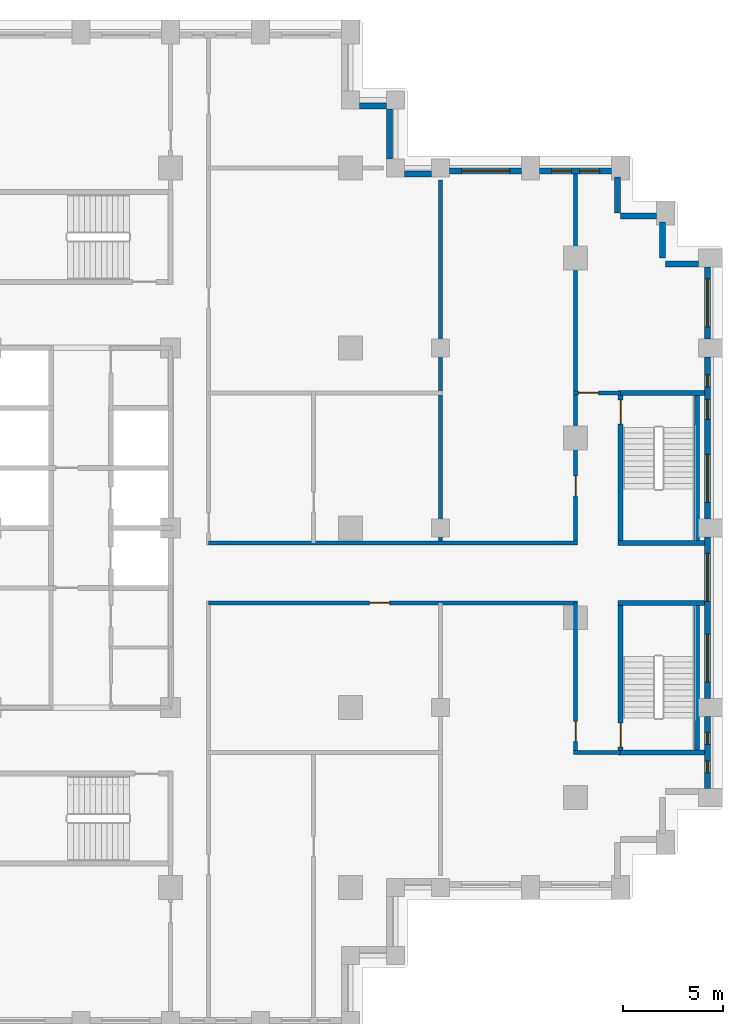
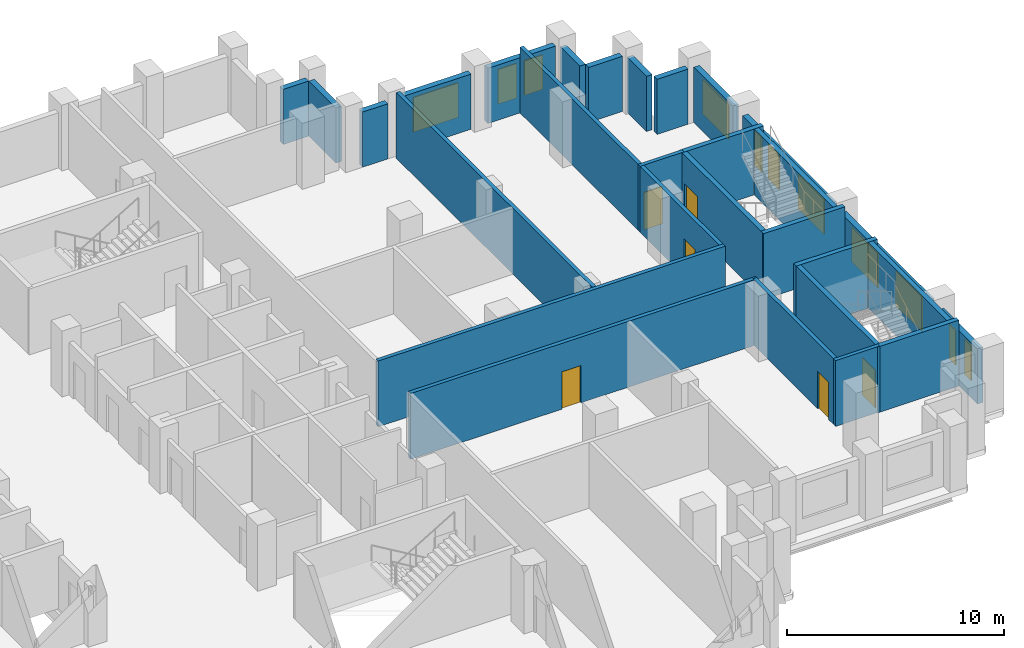
# One storey, part 12 of 16: 28 walls, 11 windows, 6 doors, 17 openings.
"""IFC4 building model written with IfcOpenShell, lengths in metres."""

from ifc_helpers import new_model, si_unit, direction, frame, frame_2d, origin, place, context, subcontext, project, spatial, rectangle, extrude, material, layer, layer_set, type_object, element, fill, save


model = new_model("IFC4")

# Units and contexts
model_context = context("Model", 3, precision=1e-05, world=origin(), true_north=direction((0.0, 1.0)))
body_context = subcontext(model_context, "Body", "Model", "MODEL_VIEW")
ifc_project = project(units=[si_unit("LENGTHUNIT", "METRE"), si_unit("AREAUNIT", "SQUARE_METRE"), si_unit("VOLUMEUNIT", "CUBIC_METRE"), si_unit("PLANEANGLEUNIT", "RADIAN"), si_unit("MASSUNIT", "GRAM", prefix="KILO")], contexts=[model_context])

# Site, building, storey
site_placement = place(None, origin())
site = spatial("IfcSite", under=ifc_project, at=site_placement, CompositionType="ELEMENT")
building_placement = place(site_placement, origin())
building = spatial("IfcBuilding", under=site, at=building_placement, Name="Corbelhall Arena Tower", CompositionType="ELEMENT")
storey_placement = place(building_placement, frame((0.0, 0.0, 76.0)))
storey = spatial("IfcBuildingStorey", under=building, at=storey_placement, Name="L11", CompositionType="ELEMENT", Elevation=76.0)

# Walls
ifc_material_1 = material(Name="Precast concrete C40/50 with granite facing", Category="masonry")
ifc_layer_1 = layer(ifc_material_1, 0.300048828125)
ifc_layer_set_1 = layer_set([ifc_layer_1], Name="EV-IW1 Infill panel 300")
wall_type_1 = type_object("IfcWallType", Name="EV-IW1 Infill panel 300", PredefinedType="SOLIDWALL", material=ifc_layer_set_1)
wall_1_placement = place(storey_placement, frame((39.89990234375, 13.199951171875, 0.0), z_axis=(0.0, 0.0, 1.0), x_axis=(-1.0, 0.0, 0.0)))
element("IfcWall", 1, at=wall_1_placement, inside=storey, type_object=wall_type_1, Name="Infill panel IW1", PredefinedType="SOLIDWALL", context=body_context, shape_type="SweptSolid", body=[
    extrude(rectangle(XDim=1.64990234375, YDim=0.300048828125, at=frame_2d((0.824951171875, 0.0))), origin(), (0.0, 0.0, 1.0), 3.10009765625),
])
for number, where, z_axis, x_axis, name in (
    (2, (38.10009765625, 15.300048828125, 0.0), (0.0, 0.0, 1.0), (0.0, -1.0, 0.0), "Infill panel IW1"),
    (3, (37.800048828125, 15.60009765625, 0.0), (0.0, 0.0, 1.0), (-1.0, 0.0, 0.0), "Infill panel IW1"),
    (4, (35.85009765625, 17.550048828125, 0.0), (0.0, 0.0, 1.0), (0.0, -1.0, 0.0), "Infill panel IW1"),
):
    element("IfcWall", number, at=place(storey_placement, frame(where, z_axis=z_axis, x_axis=x_axis)), inside=storey, type_object=wall_type_1, Name=name, PredefinedType="SOLIDWALL", context=body_context, shape_type="SweptSolid", body=[
        extrude(rectangle(XDim=1.800048828125, YDim=0.300048828125, at=frame_2d((0.89990234375, 0.0))), origin(), (0.0, 0.0, 1.0), 3.10009765625),
    ])

# Wall, openings, windows
wall_2_placement = place(storey_placement, frame((40.35009765625, -13.050048828125, 0.0), z_axis=(0.0, 0.0, 1.0), x_axis=(0.0, 1.0, 0.0)))
wall_2 = element("IfcWall", 5, at=wall_2_placement, inside=storey, type_object=wall_type_1, Name="Infill panel IW1", PredefinedType="SOLIDWALL", context=body_context, shape_type="SweptSolid", body=[
    extrude(rectangle(XDim=3.60009765625, YDim=0.300048828125, at=frame_2d((1.800048828125, 0.0))), origin(), (0.0, 0.0, 1.0), 3.10009765625),
])
opening_1_placement = place(wall_2_placement, frame((0.78759765625, 0.0, 0.800048828125)))
opening_1 = element("IfcOpeningElement", 6, at=opening_1_placement, cuts=wall_2, Name="Opening WN5", PredefinedType="OPENING", context=body_context, shape_type="SweptSolid", body=[
    extrude(rectangle(XDim=0.60009765625, YDim=1.949951171875, at=frame_2d((0.300048828125, 0.97509765625))), frame((0.0, 0.14990234375, 0.0), z_axis=(0.0, -1.0, 0.0), x_axis=(1.0, 0.0, 0.0)), (0.0, 0.0, 1.0), 0.300048828125),
])
opening_2_placement = place(wall_2_placement, frame((2.21240234375, 0.0, 0.800048828125)))
opening_2 = element("IfcOpeningElement", 7, at=opening_2_placement, cuts=wall_2, Name="Opening WN5", PredefinedType="OPENING", context=body_context, shape_type="SweptSolid", body=[
    extrude(rectangle(XDim=0.60009765625, YDim=1.949951171875, at=frame_2d((0.300048828125, 0.97509765625))), frame((0.0, 0.14990234375, 0.0), z_axis=(0.0, -1.0, 0.0), x_axis=(1.0, 0.0, 0.0)), (0.0, 0.0, 1.0), 0.300048828125),
])
ifc_material_2 = material(Name="Aluminium black anodised", Category="aluminium")
window_type_1 = type_object("IfcWindowType", Name="EV-WN5 Office window 600", PartitioningType="SINGLE_PANEL", PredefinedType="WINDOW", material=ifc_material_2)
window_1_placement = place(opening_1_placement, origin())
window_1 = element("IfcWindow", 8, at=window_1_placement, inside=storey, type_object=window_type_1, Name="Window WN5", OverallHeight=1.949951171875, OverallWidth=0.60009765625, PartitioningType="SINGLE_PANEL", PredefinedType="WINDOW", context=body_context, shape_type="SweptSolid", body=[
    extrude(rectangle(XDim=0.60009765625, YDim=1.949951171875, at=frame_2d((0.300048828125, 0.97509765625))), frame((0.0, 0.030029296875, 0.0), z_axis=(0.0, -1.0, 0.0), x_axis=(1.0, 0.0, 0.0)), (0.0, 0.0, 1.0), 0.06005859375),
])
fill(opening_1, window_1)
window_2_placement = place(opening_2_placement, origin())
window_2 = element("IfcWindow", 9, at=window_2_placement, inside=storey, type_object=window_type_1, Name="Window WN5", OverallHeight=1.949951171875, OverallWidth=0.60009765625, PartitioningType="SINGLE_PANEL", PredefinedType="WINDOW", context=body_context, shape_type="SweptSolid", body=[
    extrude(rectangle(XDim=0.60009765625, YDim=1.949951171875, at=frame_2d((0.300048828125, 0.97509765625))), frame((0.0, 0.030029296875, 0.0), z_axis=(0.0, -1.0, 0.0), x_axis=(1.0, 0.0, 0.0)), (0.0, 0.0, 1.0), 0.06005859375),
])
fill(opening_2, window_2)

wall_3_placement = place(storey_placement, frame((40.35009765625, -8.550048828125, 0.0), z_axis=(0.0, 0.0, 1.0), x_axis=(0.0, 1.0, 0.0)))
wall_3 = element("IfcWall", 10, at=wall_3_placement, inside=storey, type_object=wall_type_1, Name="Infill panel IW1", PredefinedType="SOLIDWALL", context=body_context, shape_type="SweptSolid", body=[
    extrude(rectangle(XDim=8.10009765625, YDim=0.300048828125, at=frame_2d((4.050048828125, 0.0))), origin(), (0.0, 0.0, 1.0), 3.10009765625),
])
opening_3_placement = place(wall_3_placement, frame((0.824951171875, 0.0, 0.800048828125)))
opening_3 = element("IfcOpeningElement", 11, at=opening_3_placement, cuts=wall_3, Name="Opening WN1", PredefinedType="OPENING", context=body_context, shape_type="SweptSolid", body=[
    extrude(rectangle(XDim=2.39990234375, YDim=1.949951171875, at=frame_2d((1.199951171875, 0.97509765625))), frame((0.0, 0.14990234375, 0.0), z_axis=(0.0, -1.0, 0.0), x_axis=(1.0, 0.0, 0.0)), (0.0, 0.0, 1.0), 0.300048828125),
])
opening_4_placement = place(wall_3_placement, frame((4.875, 0.0, 0.800048828125)))
opening_4 = element("IfcOpeningElement", 12, at=opening_4_placement, cuts=wall_3, Name="Opening WN1", PredefinedType="OPENING", context=body_context, shape_type="SweptSolid", body=[
    extrude(rectangle(XDim=2.39990234375, YDim=1.949951171875, at=frame_2d((1.199951171875, 0.97509765625))), frame((0.0, 0.14990234375, 0.0), z_axis=(0.0, -1.0, 0.0), x_axis=(1.0, 0.0, 0.0)), (0.0, 0.0, 1.0), 0.300048828125),
])
window_type_2 = type_object("IfcWindowType", Name="EV-WN1 Office window", PartitioningType="SINGLE_PANEL", PredefinedType="WINDOW", material=ifc_material_2)
window_3_placement = place(opening_3_placement, origin())
window_3 = element("IfcWindow", 13, at=window_3_placement, inside=storey, type_object=window_type_2, Name="Window WN1", OverallHeight=1.949951171875, OverallWidth=2.39990234375, PartitioningType="SINGLE_PANEL", PredefinedType="WINDOW", context=body_context, shape_type="SweptSolid", body=[
    extrude(rectangle(XDim=2.39990234375, YDim=1.949951171875, at=frame_2d((1.199951171875, 0.97509765625))), frame((0.0, 0.030029296875, 0.0), z_axis=(0.0, -1.0, 0.0), x_axis=(1.0, 0.0, 0.0)), (0.0, 0.0, 1.0), 0.06005859375),
])
fill(opening_3, window_3)
window_4_placement = place(opening_4_placement, origin())
window_4 = element("IfcWindow", 14, at=window_4_placement, inside=storey, type_object=window_type_2, Name="Window WN1", OverallHeight=1.949951171875, OverallWidth=2.39990234375, PartitioningType="SINGLE_PANEL", PredefinedType="WINDOW", context=body_context, shape_type="SweptSolid", body=[
    extrude(rectangle(XDim=2.39990234375, YDim=1.949951171875, at=frame_2d((1.199951171875, 0.97509765625))), frame((0.0, 0.030029296875, 0.0), z_axis=(0.0, -1.0, 0.0), x_axis=(1.0, 0.0, 0.0)), (0.0, 0.0, 1.0), 0.06005859375),
])
fill(opening_4, window_4)

wall_4_placement = place(storey_placement, frame((40.35009765625, 0.449951171875, 0.0), z_axis=(0.0, 0.0, 1.0), x_axis=(0.0, 1.0, 0.0)))
wall_4 = element("IfcWall", 15, at=wall_4_placement, inside=storey, type_object=wall_type_1, Name="Infill panel IW1", PredefinedType="SOLIDWALL", context=body_context, shape_type="SweptSolid", body=[
    extrude(rectangle(XDim=8.10009765625, YDim=0.300048828125, at=frame_2d((4.050048828125, 0.0))), origin(), (0.0, 0.0, 1.0), 3.10009765625),
])
opening_5_placement = place(wall_4_placement, frame((0.824951171875, 0.0, 0.800048828125)))
opening_5 = element("IfcOpeningElement", 16, at=opening_5_placement, cuts=wall_4, Name="Opening WN1", PredefinedType="OPENING", context=body_context, shape_type="SweptSolid", body=[
    extrude(rectangle(XDim=2.39990234375, YDim=1.949951171875, at=frame_2d((1.199951171875, 0.97509765625))), frame((0.0, 0.14990234375, 0.0), z_axis=(0.0, -1.0, 0.0), x_axis=(1.0, 0.0, 0.0)), (0.0, 0.0, 1.0), 0.300048828125),
])
opening_6_placement = place(wall_4_placement, frame((4.97509765625, 0.0, 0.800048828125)))
opening_6 = element("IfcOpeningElement", 17, at=opening_6_placement, cuts=wall_4, Name="Opening WN6", PredefinedType="OPENING", context=body_context, shape_type="SweptSolid", body=[
    extrude(rectangle(XDim=1.0, YDim=1.949951171875, at=frame_2d((0.5, 0.97509765625))), frame((0.0, 0.14990234375, 0.0), z_axis=(0.0, -1.0, 0.0), x_axis=(1.0, 0.0, 0.0)), (0.0, 0.0, 1.0), 0.300048828125),
])
opening_7_placement = place(wall_4_placement, frame((6.60009765625, 0.0, 0.800048828125)))
opening_7 = element("IfcOpeningElement", 18, at=opening_7_placement, cuts=wall_4, Name="Opening WN5", PredefinedType="OPENING", context=body_context, shape_type="SweptSolid", body=[
    extrude(rectangle(XDim=0.60009765625, YDim=1.949951171875, at=frame_2d((0.300048828125, 0.97509765625))), frame((0.0, 0.14990234375, 0.0), z_axis=(0.0, -1.0, 0.0), x_axis=(1.0, 0.0, 0.0)), (0.0, 0.0, 1.0), 0.300048828125),
])
window_5_placement = place(opening_5_placement, origin())
window_5 = element("IfcWindow", 19, at=window_5_placement, inside=storey, type_object=window_type_2, Name="Window WN1", OverallHeight=1.949951171875, OverallWidth=2.39990234375, PartitioningType="SINGLE_PANEL", PredefinedType="WINDOW", context=body_context, shape_type="SweptSolid", body=[
    extrude(rectangle(XDim=2.39990234375, YDim=1.949951171875, at=frame_2d((1.199951171875, 0.97509765625))), frame((0.0, 0.030029296875, 0.0), z_axis=(0.0, -1.0, 0.0), x_axis=(1.0, 0.0, 0.0)), (0.0, 0.0, 1.0), 0.06005859375),
])
fill(opening_5, window_5)
window_6_placement = place(opening_7_placement, origin())
window_6 = element("IfcWindow", 20, at=window_6_placement, inside=storey, type_object=window_type_1, Name="Window WN5", OverallHeight=1.949951171875, OverallWidth=0.60009765625, PartitioningType="SINGLE_PANEL", PredefinedType="WINDOW", context=body_context, shape_type="SweptSolid", body=[
    extrude(rectangle(XDim=0.60009765625, YDim=1.949951171875, at=frame_2d((0.300048828125, 0.97509765625))), frame((0.0, 0.030029296875, 0.0), z_axis=(0.0, -1.0, 0.0), x_axis=(1.0, 0.0, 0.0)), (0.0, 0.0, 1.0), 0.06005859375),
])
fill(opening_7, window_6)
window_type_3 = type_object("IfcWindowType", Name="EV-WN6 Office window 1000", PartitioningType="SINGLE_PANEL", PredefinedType="WINDOW", material=ifc_material_2)
window_7_placement = place(opening_6_placement, origin())
window_7 = element("IfcWindow", 21, at=window_7_placement, inside=storey, type_object=window_type_3, Name="Window WN6", OverallHeight=1.949951171875, OverallWidth=1.0, PartitioningType="SINGLE_PANEL", PredefinedType="WINDOW", context=body_context, shape_type="SweptSolid", body=[
    extrude(rectangle(XDim=1.0, YDim=1.949951171875, at=frame_2d((0.5, 0.97509765625))), frame((0.0, 0.030029296875, 0.0), z_axis=(0.0, -1.0, 0.0), x_axis=(1.0, 0.0, 0.0)), (0.0, 0.0, 1.0), 0.06005859375),
])
fill(opening_6, window_7)

# Wall, opening, window
wall_5_placement = place(storey_placement, frame((40.35009765625, 9.449951171875, 0.0), z_axis=(0.0, 0.0, 1.0), x_axis=(0.0, 1.0, 0.0)))
wall_5 = element("IfcWall", 22, at=wall_5_placement, inside=storey, type_object=wall_type_1, Name="Infill panel IW1", PredefinedType="SOLIDWALL", context=body_context, shape_type="SweptSolid", body=[
    extrude(rectangle(XDim=3.60009765625, YDim=0.300048828125, at=frame_2d((1.800048828125, 0.0))), origin(), (0.0, 0.0, 1.0), 3.10009765625),
])
opening_8_placement = place(wall_5_placement, frame((0.60009765625, 0.0, 0.800048828125)))
opening_8 = element("IfcOpeningElement", 23, at=opening_8_placement, cuts=wall_5, Name="Opening WN1", PredefinedType="OPENING", context=body_context, shape_type="SweptSolid", body=[
    extrude(rectangle(XDim=2.39990234375, YDim=1.949951171875, at=frame_2d((1.199951171875, 0.97509765625))), frame((0.0, 0.14990234375, 0.0), z_axis=(0.0, -1.0, 0.0), x_axis=(1.0, 0.0, 0.0)), (0.0, 0.0, 1.0), 0.300048828125),
])
window_8_placement = place(opening_8_placement, origin())
window_8 = element("IfcWindow", 24, at=window_8_placement, inside=storey, type_object=window_type_2, Name="Window WN1", OverallHeight=1.949951171875, OverallWidth=2.39990234375, PartitioningType="SINGLE_PANEL", PredefinedType="WINDOW", context=body_context, shape_type="SweptSolid", body=[
    extrude(rectangle(XDim=2.39990234375, YDim=1.949951171875, at=frame_2d((1.199951171875, 0.97509765625))), frame((0.0, 0.030029296875, 0.0), z_axis=(0.0, -1.0, 0.0), x_axis=(1.0, 0.0, 0.0)), (0.0, 0.0, 1.0), 0.06005859375),
])
fill(opening_8, window_8)

# Wall, openings, windows
wall_6_placement = place(storey_placement, frame((35.550048828125, 17.85009765625, 0.0), z_axis=(0.0, 0.0, 1.0), x_axis=(-1.0, 0.0, 0.0)))
wall_6 = element("IfcWall", 25, at=wall_6_placement, inside=storey, type_object=wall_type_1, Name="Infill panel IW1", PredefinedType="SOLIDWALL", context=body_context, shape_type="SweptSolid", body=[
    extrude(rectangle(XDim=3.60009765625, YDim=0.300048828125, at=frame_2d((1.800048828125, 0.0))), origin(), (0.0, 0.0, 1.0), 3.10009765625),
])
opening_9_placement = place(wall_6_placement, frame((0.60009765625, 0.0, 0.800048828125)))
opening_9 = element("IfcOpeningElement", 26, at=opening_9_placement, cuts=wall_6, Name="Opening WN6", PredefinedType="OPENING", context=body_context, shape_type="SweptSolid", body=[
    extrude(rectangle(XDim=1.0, YDim=1.949951171875, at=frame_2d((0.5, 0.97509765625))), frame((0.0, 0.14990234375, 0.0), z_axis=(0.0, -1.0, 0.0), x_axis=(1.0, 0.0, 0.0)), (0.0, 0.0, 1.0), 0.300048828125),
])
opening_10_placement = place(wall_6_placement, frame((2.0, 0.0, 0.800048828125)))
opening_10 = element("IfcOpeningElement", 27, at=opening_10_placement, cuts=wall_6, Name="Opening WN6", PredefinedType="OPENING", context=body_context, shape_type="SweptSolid", body=[
    extrude(rectangle(XDim=1.0, YDim=1.949951171875, at=frame_2d((0.5, 0.97509765625))), frame((0.0, 0.14990234375, 0.0), z_axis=(0.0, -1.0, 0.0), x_axis=(1.0, 0.0, 0.0)), (0.0, 0.0, 1.0), 0.300048828125),
])
window_9_placement = place(opening_9_placement, origin())
window_9 = element("IfcWindow", 28, at=window_9_placement, inside=storey, type_object=window_type_3, Name="Window WN6", OverallHeight=1.949951171875, OverallWidth=1.0, PartitioningType="SINGLE_PANEL", PredefinedType="WINDOW", context=body_context, shape_type="SweptSolid", body=[
    extrude(rectangle(XDim=1.0, YDim=1.949951171875, at=frame_2d((0.5, 0.97509765625))), frame((0.0, 0.030029296875, 0.0), z_axis=(0.0, -1.0, 0.0), x_axis=(1.0, 0.0, 0.0)), (0.0, 0.0, 1.0), 0.06005859375),
])
fill(opening_9, window_9)
window_10_placement = place(opening_10_placement, origin())
window_10 = element("IfcWindow", 29, at=window_10_placement, inside=storey, type_object=window_type_3, Name="Window WN6", OverallHeight=1.949951171875, OverallWidth=1.0, PartitioningType="SINGLE_PANEL", PredefinedType="WINDOW", context=body_context, shape_type="SweptSolid", body=[
    extrude(rectangle(XDim=1.0, YDim=1.949951171875, at=frame_2d((0.5, 0.97509765625))), frame((0.0, 0.030029296875, 0.0), z_axis=(0.0, -1.0, 0.0), x_axis=(1.0, 0.0, 0.0)), (0.0, 0.0, 1.0), 0.06005859375),
])
fill(opening_10, window_10)

# Wall, opening, window
wall_7_placement = place(storey_placement, frame((31.050048828125, 17.85009765625, 0.0), z_axis=(0.0, 0.0, 1.0), x_axis=(-1.0, 0.0, 0.0)))
wall_7 = element("IfcWall", 30, at=wall_7_placement, inside=storey, type_object=wall_type_1, Name="Infill panel IW1", PredefinedType="SOLIDWALL", context=body_context, shape_type="SweptSolid", body=[
    extrude(rectangle(XDim=3.60009765625, YDim=0.300048828125, at=frame_2d((1.800048828125, 0.0))), origin(), (0.0, 0.0, 1.0), 3.10009765625),
])
opening_11_placement = place(wall_7_placement, frame((0.60009765625, 0.0, 0.800048828125)))
opening_11 = element("IfcOpeningElement", 31, at=opening_11_placement, cuts=wall_7, Name="Opening WN1", PredefinedType="OPENING", context=body_context, shape_type="SweptSolid", body=[
    extrude(rectangle(XDim=2.39990234375, YDim=1.949951171875, at=frame_2d((1.199951171875, 0.97509765625))), frame((0.0, 0.14990234375, 0.0), z_axis=(0.0, -1.0, 0.0), x_axis=(1.0, 0.0, 0.0)), (0.0, 0.0, 1.0), 0.300048828125),
])
window_11_placement = place(opening_11_placement, origin())
window_11 = element("IfcWindow", 32, at=window_11_placement, inside=storey, type_object=window_type_2, Name="Window WN1", OverallHeight=1.949951171875, OverallWidth=2.39990234375, PartitioningType="SINGLE_PANEL", PredefinedType="WINDOW", context=body_context, shape_type="SweptSolid", body=[
    extrude(rectangle(XDim=2.39990234375, YDim=1.949951171875, at=frame_2d((1.199951171875, 0.97509765625))), frame((0.0, 0.030029296875, 0.0), z_axis=(0.0, -1.0, 0.0), x_axis=(1.0, 0.0, 0.0)), (0.0, 0.0, 1.0), 0.06005859375),
])
fill(opening_11, window_11)

# Walls
wall_8_placement = place(storey_placement, frame((26.550048828125, 17.699951171875, 0.0), z_axis=(0.0, 0.0, 1.0), x_axis=(-1.0, 0.0, 0.0)))
element("IfcWall", 33, at=wall_8_placement, inside=storey, type_object=wall_type_1, Name="Infill panel IW1", PredefinedType="SOLIDWALL", context=body_context, shape_type="SweptSolid", body=[
    extrude(rectangle(XDim=1.35009765625, YDim=0.300048828125, at=frame_2d((0.675048828125, 0.0))), origin(), (0.0, 0.0, 1.0), 3.10009765625),
])
wall_9_placement = place(storey_placement, frame((24.449951171875, 18.449951171875, 0.0), z_axis=(0.0, 0.0, 1.0), x_axis=(0.0, 1.0, 0.0)))
element("IfcWall", 34, at=wall_9_placement, inside=storey, type_object=wall_type_1, Name="Infill panel IW1", PredefinedType="SOLIDWALL", context=body_context, shape_type="SweptSolid", body=[
    extrude(rectangle(XDim=2.5, YDim=0.300048828125, at=frame_2d((1.25, 0.0))), origin(), (0.0, 0.0, 1.0), 3.10009765625),
])
wall_10_placement = place(storey_placement, frame((24.300048828125, 21.10009765625, 0.0), z_axis=(0.0, 0.0, 1.0), x_axis=(-1.0, 0.0, 0.0)))
element("IfcWall", 35, at=wall_10_placement, inside=storey, type_object=wall_type_1, Name="Infill panel IW1", PredefinedType="SOLIDWALL", context=body_context, shape_type="SweptSolid", body=[
    extrude(rectangle(XDim=1.35009765625, YDim=0.300048828125, at=frame_2d((0.675048828125, 0.0))), origin(), (0.0, 0.0, 1.0), 3.10009765625),
])
ifc_material_3 = material(Name="Gypsum board on steel stud, acoustic", Category="steel")
ifc_layer_2 = layer(ifc_material_3, 0.199951171875)
ifc_layer_set_2 = layer_set([ifc_layer_2], Name="IN-W-DM200")
wall_type_2 = type_object("IfcWallType", Name="IN-W-DM200", PredefinedType="PARTITIONING", material=ifc_layer_set_2)
wall_11_placement = place(storey_placement, frame((15.39990234375, -0.75, 0.0), z_axis=(0.0, 0.0, 1.0), x_axis=(1.0, 0.0, 0.0)))
element("IfcWall", 36, at=wall_11_placement, inside=storey, type_object=wall_type_2, Name="Partition 031", PredefinedType="PARTITIONING", context=body_context, shape_type="SweptSolid", body=[
    extrude(rectangle(XDim=18.4501953125, YDim=0.199951171875, at=frame_2d((9.22509765625, 0.0))), origin(), (0.0, 0.0, 1.0), 3.699951171875),
])
wall_12_placement = place(storey_placement, frame((27.0, 17.39990234375, 0.0), z_axis=(0.0, 0.0, 1.0), x_axis=(0.0, -1.0, 0.0)))
element("IfcWall", 37, at=wall_12_placement, inside=storey, type_object=wall_type_2, Name="Partition 038", PredefinedType="PARTITIONING", context=body_context, shape_type="SweptSolid", body=[
    extrude(rectangle(XDim=18.14990234375, YDim=0.199951171875, at=frame_2d((9.074951171875, 0.0))), origin(), (0.0, 0.0, 1.0), 3.699951171875),
])

# Wall, opening, door
wall_13_placement = place(storey_placement, frame((33.85009765625, -3.75, 0.0), z_axis=(0.0, 0.0, 1.0), x_axis=(-1.0, 0.0, 0.0)))
wall_13 = element("IfcWall", 38, at=wall_13_placement, inside=storey, type_object=wall_type_2, Name="Partition 039", PredefinedType="PARTITIONING", context=body_context, shape_type="SweptSolid", body=[
    extrude(rectangle(XDim=18.4501953125, YDim=0.199951171875, at=frame_2d((9.22509765625, 0.0))), origin(), (0.0, 0.0, 1.0), 3.699951171875),
])
opening_12_placement = place(wall_13_placement, frame((9.39990234375, 0.0, 0.0)))
opening_12 = element("IfcOpeningElement", 39, at=opening_12_placement, cuts=wall_13, Name="Opening 01039", PredefinedType="OPENING", context=body_context, shape_type="SweptSolid", body=[
    extrude(rectangle(XDim=1.0, YDim=2.10009765625, at=frame_2d((0.5, 1.050048828125))), frame((0.0, 0.10009765625, 0.0), z_axis=(0.0, -1.0, 0.0), x_axis=(1.0, 0.0, 0.0)), (0.0, 0.0, 1.0), 0.199951171875),
])
ifc_material_4 = material(Name="Steel door set", Category="steel")
door_type_1 = type_object("IfcDoorType", Name="IN-D-SW100", OperationType="NOTDEFINED", PredefinedType="DOOR", material=ifc_material_4)
door_1_placement = place(opening_12_placement, origin())
door_1 = element("IfcDoor", 40, at=door_1_placement, inside=storey, type_object=door_type_1, Name="Door 039", OperationType="SINGLE_SWING_RIGHT", OverallHeight=2.10009765625, OverallWidth=1.0, PredefinedType="DOOR", context=body_context, shape_type="SweptSolid", body=[
    extrude(rectangle(XDim=1.0, YDim=2.10009765625, at=frame_2d((0.5, 1.050048828125))), frame((0.0, 0.02490234375, 0.0), z_axis=(0.0, -1.0, 0.0), x_axis=(1.0, 0.0, 0.0)), (0.0, 0.0, 1.0), 0.050048828125),
])
fill(opening_12, door_1)

wall_14_placement = place(storey_placement, frame((33.64990234375, 6.75, 0.0), z_axis=(0.0, 0.0, 1.0), x_axis=(1.0, 0.0, 0.0)))
wall_14 = element("IfcWall", 41, at=wall_14_placement, inside=storey, type_object=wall_type_2, Name="Partition 040", PredefinedType="PARTITIONING", context=body_context, shape_type="SweptSolid", body=[
    extrude(rectangle(XDim=2.35009765625, YDim=0.199951171875, at=frame_2d((1.175048828125, 0.0))), origin(), (0.0, 0.0, 1.0), 3.699951171875),
])
opening_13_placement = place(wall_14_placement, frame((0.25, 0.0, 0.0)))
opening_13 = element("IfcOpeningElement", 42, at=opening_13_placement, cuts=wall_14, Name="Opening 01045", PredefinedType="OPENING", context=body_context, shape_type="SweptSolid", body=[
    extrude(rectangle(XDim=1.0, YDim=2.10009765625, at=frame_2d((0.5, 1.050048828125))), frame((0.0, 0.10009765625, 0.0), z_axis=(0.0, -1.0, 0.0), x_axis=(1.0, 0.0, 0.0)), (0.0, 0.0, 1.0), 0.199951171875),
])
door_2_placement = place(opening_13_placement, origin())
door_2 = element("IfcDoor", 43, at=door_2_placement, inside=storey, type_object=door_type_1, Name="Door 045", OperationType="SINGLE_SWING_RIGHT", OverallHeight=2.10009765625, OverallWidth=1.0, PredefinedType="DOOR", context=body_context, shape_type="SweptSolid", body=[
    extrude(rectangle(XDim=1.0, YDim=2.10009765625, at=frame_2d((0.5, 1.050048828125))), frame((0.0, 0.02490234375, 0.0), z_axis=(0.0, -1.0, 0.0), x_axis=(1.0, 0.0, 0.0)), (0.0, 0.0, 1.0), 0.050048828125),
])
fill(opening_13, door_2)

wall_15_placement = place(storey_placement, frame((33.75, -11.25, 0.0), z_axis=(0.0, 0.0, 1.0), x_axis=(0.0, 1.0, 0.0)))
wall_15 = element("IfcWall", 44, at=wall_15_placement, inside=storey, type_object=wall_type_2, Name="Partition 041", PredefinedType="PARTITIONING", context=body_context, shape_type="SweptSolid", body=[
    extrude(rectangle(XDim=7.5, YDim=0.199951171875, at=frame_2d((3.75, 0.0))), origin(), (0.0, 0.0, 1.0), 3.699951171875),
])
opening_14_placement = place(wall_15_placement, frame((0.550048828125, 0.0, 0.0)))
opening_14 = element("IfcOpeningElement", 45, at=opening_14_placement, cuts=wall_15, Name="Opening 01046", PredefinedType="OPENING", context=body_context, shape_type="SweptSolid", body=[
    extrude(rectangle(XDim=1.0, YDim=2.10009765625, at=frame_2d((0.5, 1.050048828125))), frame((0.0, 0.10009765625, 0.0), z_axis=(0.0, -1.0, 0.0), x_axis=(1.0, 0.0, 0.0)), (0.0, 0.0, 1.0), 0.199951171875),
])
door_3_placement = place(opening_14_placement, origin())
door_3 = element("IfcDoor", 46, at=door_3_placement, inside=storey, type_object=door_type_1, Name="Door 046", OperationType="SINGLE_SWING_LEFT", OverallHeight=2.10009765625, OverallWidth=1.0, PredefinedType="DOOR", context=body_context, shape_type="SweptSolid", body=[
    extrude(rectangle(XDim=1.0, YDim=2.10009765625, at=frame_2d((0.5, 1.050048828125))), frame((0.0, 0.02490234375, 0.0), z_axis=(0.0, -1.0, 0.0), x_axis=(1.0, 0.0, 0.0)), (0.0, 0.0, 1.0), 0.050048828125),
])
fill(opening_14, door_3)

wall_16_placement = place(storey_placement, frame((33.75, -0.75, 0.0), z_axis=(0.0, 0.0, 1.0), x_axis=(0.0, 1.0, 0.0)))
wall_16 = element("IfcWall", 47, at=wall_16_placement, inside=storey, type_object=wall_type_2, Name="Partition 042", PredefinedType="PARTITIONING", context=body_context, shape_type="SweptSolid", body=[
    extrude(rectangle(XDim=18.449951171875, YDim=0.199951171875, at=frame_2d((9.22509765625, 0.0))), origin(), (0.0, 0.0, 1.0), 3.699951171875),
])
opening_15_placement = place(wall_16_placement, frame((2.35009765625, 0.0, 0.0)))
opening_15 = element("IfcOpeningElement", 48, at=opening_15_placement, cuts=wall_16, Name="Opening 01044", PredefinedType="OPENING", context=body_context, shape_type="SweptSolid", body=[
    extrude(rectangle(XDim=1.0, YDim=2.10009765625, at=frame_2d((0.5, 1.050048828125))), frame((0.0, 0.10009765625, 0.0), z_axis=(0.0, -1.0, 0.0), x_axis=(1.0, 0.0, 0.0)), (0.0, 0.0, 1.0), 0.199951171875),
])
door_4_placement = place(opening_15_placement, origin())
door_4 = element("IfcDoor", 49, at=door_4_placement, inside=storey, type_object=door_type_1, Name="Door 044", OperationType="SINGLE_SWING_LEFT", OverallHeight=2.10009765625, OverallWidth=1.0, PredefinedType="DOOR", context=body_context, shape_type="SweptSolid", body=[
    extrude(rectangle(XDim=1.0, YDim=2.10009765625, at=frame_2d((0.5, 1.050048828125))), frame((0.0, 0.02490234375, 0.0), z_axis=(0.0, -1.0, 0.0), x_axis=(1.0, 0.0, 0.0)), (0.0, 0.0, 1.0), 0.050048828125),
])
fill(opening_15, door_4)

# Walls
wall_17_placement = place(storey_placement, frame((36.0, -11.25, 0.0), z_axis=(0.0, 0.0, 1.0), x_axis=(-1.0, 0.0, 0.0)))
element("IfcWall", 50, at=wall_17_placement, inside=storey, type_object=wall_type_2, Name="Partition 043", PredefinedType="PARTITIONING", context=body_context, shape_type="SweptSolid", body=[
    extrude(rectangle(XDim=2.35009765625, YDim=0.199951171875, at=frame_2d((1.175048828125, 0.0))), origin(), (0.0, 0.0, 1.0), 3.699951171875),
])
ifc_material_5 = material(Name="Concrete C40/50", Category="concrete")
ifc_layer_3 = layer(ifc_material_5, 0.25)
ifc_layer_set_3 = layer_set([ifc_layer_3], Name="IN-W-ST250")
wall_type_3 = type_object("IfcWallType", Name="IN-W-ST250", PredefinedType="SOLIDWALL", material=ifc_layer_set_3)
wall_18_placement = place(storey_placement, frame((35.875, -0.75, 0.0), z_axis=(0.0, 0.0, 1.0), x_axis=(1.0, 0.0, 0.0)))
element("IfcWall", 51, at=wall_18_placement, inside=storey, type_object=wall_type_3, Name="Shaft wall 105", PredefinedType="SOLIDWALL", context=body_context, shape_type="SweptSolid", body=[
    extrude(rectangle(XDim=4.324951171875, YDim=0.25, at=frame_2d((2.16259765625, 0.0))), origin(), (0.0, 0.0, 1.0), 3.699951171875),
])

# Wall, opening, door
wall_19_placement = place(storey_placement, frame((36.0, -11.375, 0.0), z_axis=(0.0, 0.0, 1.0), x_axis=(0.0, 1.0, 0.0)))
wall_19 = element("IfcWall", 52, at=wall_19_placement, inside=storey, type_object=wall_type_3, Name="Shaft wall 106", PredefinedType="SOLIDWALL", context=body_context, shape_type="SweptSolid", body=[
    extrude(rectangle(XDim=7.625, YDim=0.25, at=frame_2d((3.8125, 0.0))), origin(), (0.0, 0.0, 1.0), 3.699951171875),
])
opening_16_placement = place(wall_19_placement, frame((0.39990234375, 0.0, 0.0)))
opening_16 = element("IfcOpeningElement", 53, at=opening_16_placement, cuts=wall_19, Name="Opening 01021", PredefinedType="OPENING", context=body_context, shape_type="SweptSolid", body=[
    extrude(rectangle(XDim=1.199951171875, YDim=2.10009765625, at=frame_2d((0.60009765625, 1.050048828125))), frame((0.0, 0.125, 0.0), z_axis=(0.0, -1.0, 0.0), x_axis=(1.0, 0.0, 0.0)), (0.0, 0.0, 1.0), 0.25),
])
door_type_2 = type_object("IfcDoorType", Name="IN-D-ST120", OperationType="NOTDEFINED", PredefinedType="DOOR", material=ifc_material_4)
door_5_placement = place(opening_16_placement, origin())
door_5 = element("IfcDoor", 54, at=door_5_placement, inside=storey, type_object=door_type_2, Name="Door 021", OperationType="SINGLE_SWING_RIGHT", OverallHeight=2.10009765625, OverallWidth=1.199951171875, PredefinedType="DOOR", context=body_context, shape_type="SweptSolid", body=[
    extrude(rectangle(XDim=1.199951171875, YDim=2.10009765625, at=frame_2d((0.60009765625, 1.050048828125))), frame((0.0, 0.02490234375, 0.0), z_axis=(0.0, -1.0, 0.0), x_axis=(1.0, 0.0, 0.0)), (0.0, 0.0, 1.0), 0.050048828125),
])
fill(opening_16, door_5)

wall_20_placement = place(storey_placement, frame((36.0, -0.75, 0.0), z_axis=(0.0, 0.0, 1.0), x_axis=(0.0, 1.0, 0.0)))
wall_20 = element("IfcWall", 55, at=wall_20_placement, inside=storey, type_object=wall_type_3, Name="Shaft wall 107", PredefinedType="SOLIDWALL", context=body_context, shape_type="SweptSolid", body=[
    extrude(rectangle(XDim=7.625, YDim=0.25, at=frame_2d((3.8125, 0.0))), origin(), (0.0, 0.0, 1.0), 3.699951171875),
])
opening_17_placement = place(wall_20_placement, frame((5.949951171875, 0.0, 0.0)))
opening_17 = element("IfcOpeningElement", 56, at=opening_17_placement, cuts=wall_20, Name="Opening 01022", PredefinedType="OPENING", context=body_context, shape_type="SweptSolid", body=[
    extrude(rectangle(XDim=1.199951171875, YDim=2.10009765625, at=frame_2d((0.60009765625, 1.050048828125))), frame((0.0, 0.125, 0.0), z_axis=(0.0, -1.0, 0.0), x_axis=(1.0, 0.0, 0.0)), (0.0, 0.0, 1.0), 0.25),
])
door_6_placement = place(opening_17_placement, origin())
door_6 = element("IfcDoor", 57, at=door_6_placement, inside=storey, type_object=door_type_2, Name="Door 022", OperationType="SINGLE_SWING_LEFT", OverallHeight=2.10009765625, OverallWidth=1.199951171875, PredefinedType="DOOR", context=body_context, shape_type="SweptSolid", body=[
    extrude(rectangle(XDim=1.199951171875, YDim=2.10009765625, at=frame_2d((0.60009765625, 1.050048828125))), frame((0.0, 0.02490234375, 0.0), z_axis=(0.0, -1.0, 0.0), x_axis=(1.0, 0.0, 0.0)), (0.0, 0.0, 1.0), 0.050048828125),
])
fill(opening_17, door_6)

# Walls
for number, where, z_axis, x_axis, name in (
    (58, (36.0, 6.75, 0.0), (0.0, 0.0, 1.0), (1.0, 0.0, 0.0), "Shaft wall 108"),
    (59, (40.199951171875, -11.25, 0.0), (0.0, 0.0, 1.0), (-1.0, 0.0, 0.0), "Shaft wall 109"),
):
    element("IfcWall", number, at=place(storey_placement, frame(where, z_axis=z_axis, x_axis=x_axis)), inside=storey, type_object=wall_type_3, Name=name, PredefinedType="SOLIDWALL", context=body_context, shape_type="SweptSolid", body=[
        extrude(rectangle(XDim=4.199951171875, YDim=0.25, at=frame_2d((2.10009765625, 0.0))), origin(), (0.0, 0.0, 1.0), 3.699951171875),
    ])
wall_21_placement = place(storey_placement, frame((40.199951171875, -3.75, 0.0), z_axis=(0.0, 0.0, 1.0), x_axis=(-1.0, 0.0, 0.0)))
element("IfcWall", 60, at=wall_21_placement, inside=storey, type_object=wall_type_3, Name="Shaft wall 110", PredefinedType="SOLIDWALL", context=body_context, shape_type="SweptSolid", body=[
    extrude(rectangle(XDim=4.324951171875, YDim=0.25, at=frame_2d((2.16259765625, 0.0))), origin(), (0.0, 0.0, 1.0), 3.699951171875),
])
for number, where, z_axis, x_axis, name in (
    (61, (39.824951171875, -11.125, 0.0), (0.0, 0.0, 1.0), (0.0, 1.0, 0.0), "Shaft wall SD1 facade side"),
    (62, (39.824951171875, -0.625, 0.0), (0.0, 0.0, 1.0), (0.0, 1.0, 0.0), "Shaft wall SD2 facade side"),
):
    element("IfcWall", number, at=place(storey_placement, frame(where, z_axis=z_axis, x_axis=x_axis)), inside=storey, type_object=wall_type_3, Name=name, PredefinedType="SOLIDWALL", context=body_context, shape_type="SweptSolid", body=[
        extrude(rectangle(XDim=7.25, YDim=0.25, at=frame_2d((3.625, 0.0))), origin(), (0.0, 0.0, 1.0), 3.699951171875),
    ])

save(model, "model.ifc")
